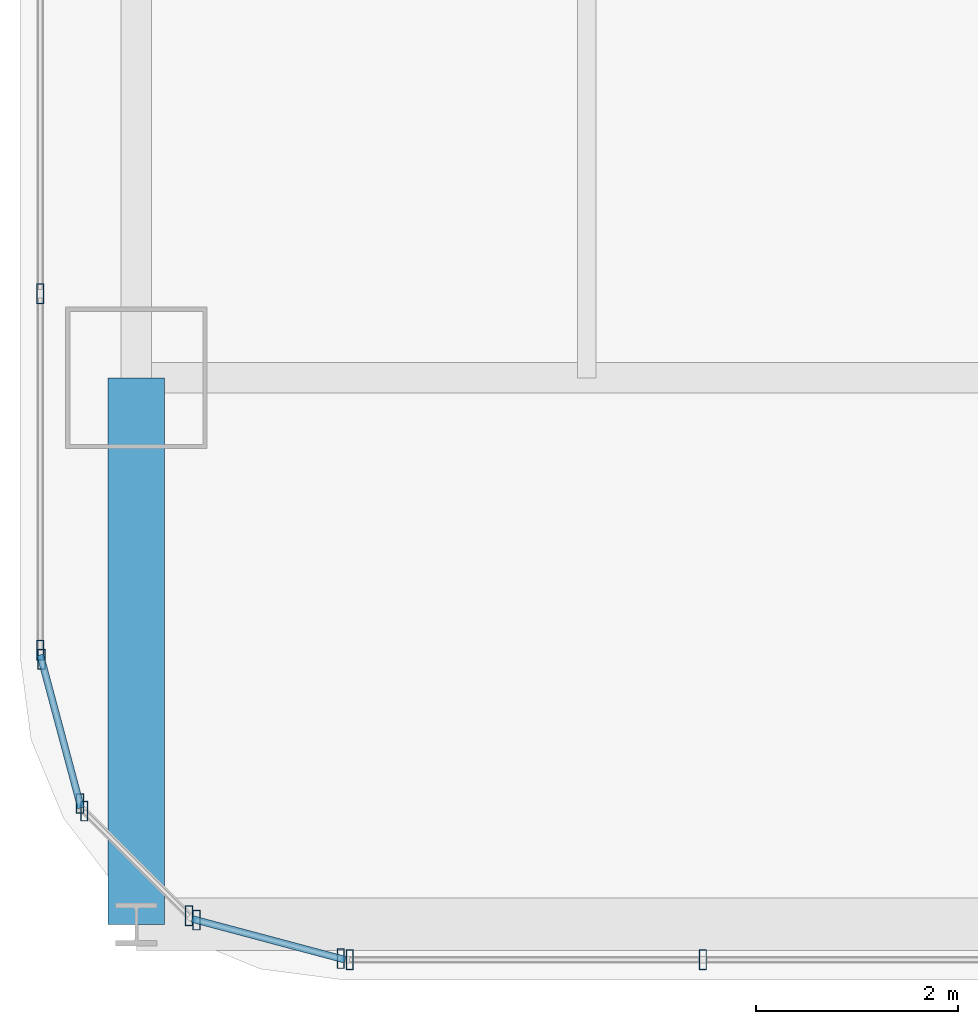
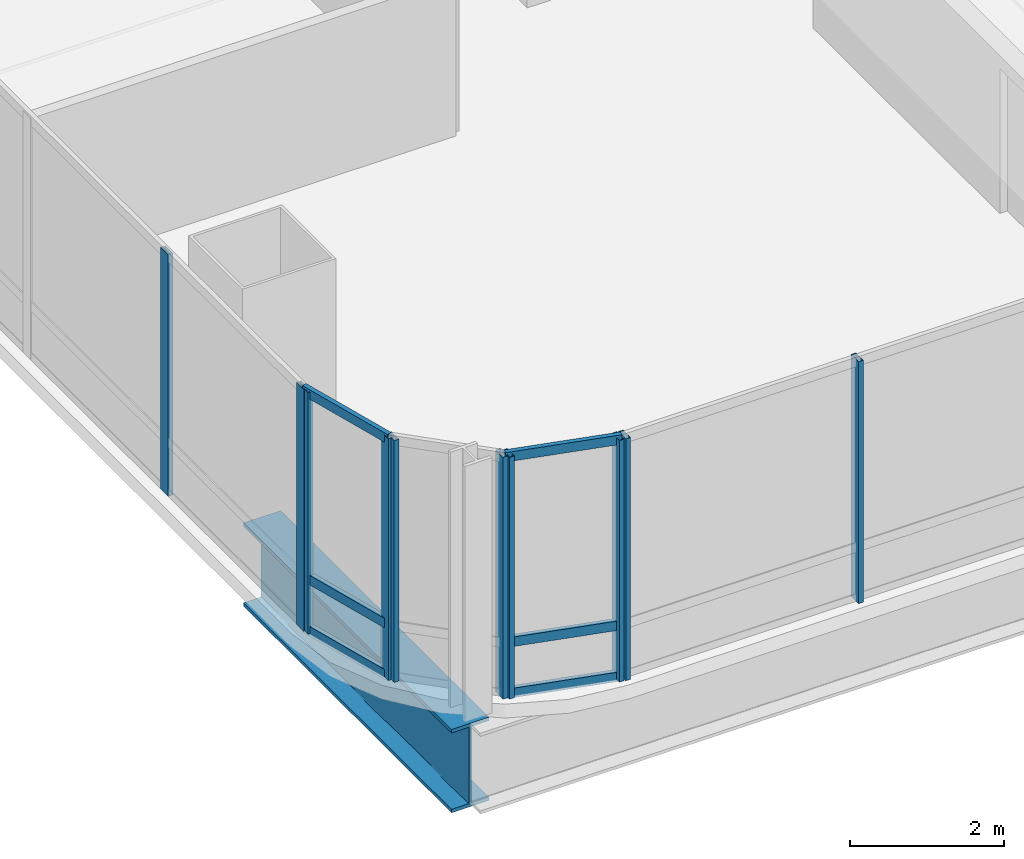
# One storey, part 2 of 35: 16 members, 1 beam, 5 elements without a shape of their own.
"""IFC4 building model written with IfcOpenShell, lengths in metres."""

from ifc_helpers import new_model, si_unit, direction, frame, origin, origin_2d, place, context, subcontext, project, spatial, hollow_rectangle, i_section, extrude, material, material_profile, profile_set, type_object, element, aggregate, save


model = new_model("IFC4")

# Units and contexts
model_context = context("Model", 3, precision=1e-05, world=origin(), true_north=direction((0.0, 1.0)))
body_context = subcontext(model_context, "Body", "Model", "MODEL_VIEW")
ifc_project = project(units=[si_unit("LENGTHUNIT", "METRE"), si_unit("AREAUNIT", "SQUARE_METRE"), si_unit("VOLUMEUNIT", "CUBIC_METRE"), si_unit("PLANEANGLEUNIT", "RADIAN"), si_unit("MASSUNIT", "GRAM", prefix="KILO")], contexts=[model_context])

# Site, building, storey
site_placement = place(None, origin())
site = spatial("IfcSite", under=ifc_project, at=site_placement, CompositionType="ELEMENT")
building_placement = place(site_placement, origin())
building = spatial("IfcBuilding", under=site, at=building_placement, Name="Punatoya Terracotta Tower", CompositionType="ELEMENT")
storey_placement = place(building_placement, frame((0.0, 0.0, 216.75)))
storey = spatial("IfcBuildingStorey", under=building, at=storey_placement, Name="L51", CompositionType="ELEMENT", Elevation=216.75)

# Beam
ifc_material_1 = material(Name="Steel S460", Category="steel")
ifc_material_profile_1 = material_profile(ifc_material_1, i_section(OverallWidth=0.56005859375, OverallDepth=1.320068359375, WebThickness=0.035888671875, FlangeThickness=0.054931640625, FilletRadius=0.01806640625, at=origin_2d()))
ifc_profile_set_1 = profile_set([ifc_material_profile_1], Name="Steel S460")
beam_type = type_object("IfcBeamType", Name="BM-TG-BLK", PredefinedType="BEAM", material=ifc_profile_set_1)
beam_placement = place(storey_placement, frame((-19.10009765625, -22.89990234375, -0.8798828125), z_axis=(0.0, 1.0, 0.0), x_axis=(-1.0, 0.0, 0.0)))
element("IfcBeam", 1, at=beam_placement, inside=storey, type_object=beam_type, Name="BM-L51-CANT-S1", PredefinedType="BEAM", context=body_context, shape_type="SweptSolid", body=[
    extrude(i_section(OverallWidth=0.56005859375, OverallDepth=1.320068359375, WebThickness=0.035888671875, FlangeThickness=0.054931640625, FilletRadius=0.01806640625, at=origin_2d()), origin(), (0.0, 0.0, 1.0), 5.39990234375),
])

# Curtain wall, members
ifc_material_2 = material(Name="Aluminium 6063-T6 + Double Low-E Glass", Category="aluminium")
curtain_wall_type = type_object("IfcCurtainWallType", Name="CW-M2", PredefinedType="NOTDEFINED", material=ifc_material_2)
curtain_wall_1_placement = place(storey_placement, origin())
curtain_wall_1 = element("IfcCurtainWall", 2, at=curtain_wall_1_placement, inside=storey, type_object=curtain_wall_type, Name="L51 Curtain Wall CW-L51-S01-1", PredefinedType="NOTDEFINED")
ifc_material_3 = material(Name="Aluminium 6063-T6", Category="aluminium")
ifc_material_profile_2 = material_profile(ifc_material_3, hollow_rectangle(XDim=0.072021484375, YDim=0.195068359375, WallThickness=0.00439453125, at=origin_2d()))
ifc_profile_set_2 = profile_set([ifc_material_profile_2], Name="Aluminium 6063-T6")
member_type_1 = type_object("IfcMemberType", Name="CW-MUL-M2", PredefinedType="MULLION", material=ifc_profile_set_2)
member_1_placement = place(storey_placement, frame((-16.991943359375, -23.25, 0.0), z_axis=(0.0, 0.0, 1.0), x_axis=(1.0, 0.0, 0.0)))
member_1 = element("IfcMember", 3, at=member_1_placement, type_object=member_type_1, Name="CW-L51-S01-1 Mullion 00", PredefinedType="MULLION", context=body_context, shape_type="SweptSolid", body=[
    extrude(hollow_rectangle(XDim=0.072021484375, YDim=0.195068359375, WallThickness=0.00439453125, at=origin_2d()), origin(), (0.0, 0.0, 1.0), 3.830078125),
])
member_2_placement = place(storey_placement, frame((-13.5029296875, -23.25, 0.0), z_axis=(0.0, 0.0, 1.0), x_axis=(1.0, 0.0, 0.0)))
member_2 = element("IfcMember", 4, at=member_2_placement, type_object=member_type_1, Name="CW-L51-S01-1 Mullion 01", PredefinedType="MULLION", context=body_context, shape_type="SweptSolid", body=[
    extrude(hollow_rectangle(XDim=0.072021484375, YDim=0.195068359375, WallThickness=0.00439453125, at=origin_2d()), origin(), (0.0, 0.0, 1.0), 3.830078125),
])
aggregate(curtain_wall_1, [member_1, member_2])

curtain_wall_2_placement = place(storey_placement, origin())
curtain_wall_2 = element("IfcCurtainWall", 5, at=curtain_wall_2_placement, inside=storey, type_object=curtain_wall_type, Name="L51 Curtain Wall CW-L51-W13-1", PredefinedType="NOTDEFINED")
member_3_placement = place(storey_placement, frame((-20.050048828125, -16.66943359375, 0.0), z_axis=(0.0, 0.0, 1.0), x_axis=(1.0, 0.0, 0.0)))
member_3 = element("IfcMember", 6, at=member_3_placement, type_object=member_type_1, Name="CW-L51-W13-1 Mullion 09", PredefinedType="MULLION", context=body_context, shape_type="SweptSolid", body=[
    extrude(hollow_rectangle(XDim=0.072021484375, YDim=0.195068359375, WallThickness=0.00439453125, at=origin_2d()), origin(), (0.0, 0.0, 1.0), 3.830078125),
])
member_4_placement = place(storey_placement, frame((-20.050048828125, -20.19189453125, 0.0), z_axis=(0.0, 0.0, 1.0), x_axis=(1.0, 0.0, 0.0)))
member_4 = element("IfcMember", 7, at=member_4_placement, type_object=member_type_1, Name="CW-L51-W13-1 Mullion 10", PredefinedType="MULLION", context=body_context, shape_type="SweptSolid", body=[
    extrude(hollow_rectangle(XDim=0.072021484375, YDim=0.195068359375, WallThickness=0.00439453125, at=origin_2d()), origin(), (0.0, 0.0, 1.0), 3.830078125),
])
aggregate(curtain_wall_2, [member_3, member_4])

curtain_wall_3_placement = place(storey_placement, origin())
curtain_wall_3 = element("IfcCurtainWall", 8, at=curtain_wall_3_placement, inside=storey, type_object=curtain_wall_type, Name="L51 Curtain Wall CW-L51-CRN14", PredefinedType="NOTDEFINED")
member_5_placement = place(storey_placement, frame((-20.038330078125, -20.280517578125, 0.0), z_axis=(0.0, 0.0, 1.0), x_axis=(1.0, 0.0, 0.0)))
member_5 = element("IfcMember", 9, at=member_5_placement, type_object=member_type_1, Name="CW-L51-CRN14 Mullion 00", PredefinedType="MULLION", context=body_context, shape_type="SweptSolid", body=[
    extrude(hollow_rectangle(XDim=0.072021484375, YDim=0.195068359375, WallThickness=0.00439453125, at=origin_2d()), origin(), (0.0, 0.0, 1.0), 3.830078125),
])
member_6_placement = place(storey_placement, frame((-19.658203125, -21.70556640625, 0.0), z_axis=(0.0, 0.0, 1.0), x_axis=(1.0, 0.0, 0.0)))
member_6 = element("IfcMember", 10, at=member_6_placement, type_object=member_type_1, Name="CW-L51-CRN14 Mullion 01", PredefinedType="MULLION", context=body_context, shape_type="SweptSolid", body=[
    extrude(hollow_rectangle(XDim=0.072021484375, YDim=0.195068359375, WallThickness=0.00439453125, at=origin_2d()), origin(), (0.0, 0.0, 1.0), 3.830078125),
])

curtain_wall_4_placement = place(storey_placement, origin())
curtain_wall_4 = element("IfcCurtainWall", 11, at=curtain_wall_4_placement, inside=storey, type_object=curtain_wall_type, Name="L51 Curtain Wall CW-L51-CRN15", PredefinedType="NOTDEFINED")
member_7_placement = place(storey_placement, frame((-19.61474609375, -21.781005859375, 0.0), z_axis=(0.0, 0.0, 1.0), x_axis=(1.0, 0.0, 0.0)))
member_7 = element("IfcMember", 12, at=member_7_placement, type_object=member_type_1, Name="CW-L51-CRN15 Mullion 00", PredefinedType="MULLION", context=body_context, shape_type="SweptSolid", body=[
    extrude(hollow_rectangle(XDim=0.072021484375, YDim=0.195068359375, WallThickness=0.00439453125, at=origin_2d()), origin(), (0.0, 0.0, 1.0), 3.830078125),
])
member_8_placement = place(storey_placement, frame((-18.580810546875, -22.814697265625, 0.0), z_axis=(0.0, 0.0, 1.0), x_axis=(1.0, 0.0, 0.0)))
member_8 = element("IfcMember", 13, at=member_8_placement, type_object=member_type_1, Name="CW-L51-CRN15 Mullion 01", PredefinedType="MULLION", context=body_context, shape_type="SweptSolid", body=[
    extrude(hollow_rectangle(XDim=0.072021484375, YDim=0.195068359375, WallThickness=0.00439453125, at=origin_2d()), origin(), (0.0, 0.0, 1.0), 3.830078125),
])
aggregate(curtain_wall_4, [member_7, member_8])

curtain_wall_5_placement = place(storey_placement, origin())
curtain_wall_5 = element("IfcCurtainWall", 14, at=curtain_wall_5_placement, inside=storey, type_object=curtain_wall_type, Name="L51 Curtain Wall CW-L51-CRN16", PredefinedType="NOTDEFINED")
member_9_placement = place(storey_placement, frame((-18.505615234375, -22.858154296875, 0.0), z_axis=(0.0, 0.0, 1.0), x_axis=(1.0, 0.0, 0.0)))
member_9 = element("IfcMember", 15, at=member_9_placement, type_object=member_type_1, Name="CW-L51-CRN16 Mullion 00", PredefinedType="MULLION", context=body_context, shape_type="SweptSolid", body=[
    extrude(hollow_rectangle(XDim=0.072021484375, YDim=0.195068359375, WallThickness=0.00439453125, at=origin_2d()), origin(), (0.0, 0.0, 1.0), 3.830078125),
])
member_10_placement = place(storey_placement, frame((-17.080322265625, -23.23828125, 0.0), z_axis=(0.0, 0.0, 1.0), x_axis=(1.0, 0.0, 0.0)))
member_10 = element("IfcMember", 16, at=member_10_placement, type_object=member_type_1, Name="CW-L51-CRN16 Mullion 01", PredefinedType="MULLION", context=body_context, shape_type="SweptSolid", body=[
    extrude(hollow_rectangle(XDim=0.072021484375, YDim=0.195068359375, WallThickness=0.00439453125, at=origin_2d()), origin(), (0.0, 0.0, 1.0), 3.830078125),
])

# Member
ifc_material_profile_3 = material_profile(ifc_material_3, hollow_rectangle(XDim=0.068115234375, YDim=0.14990234375, WallThickness=0.00390625, at=origin_2d()))
ifc_profile_set_3 = profile_set([ifc_material_profile_3], Name="Aluminium 6063-T6")
member_type_2 = type_object("IfcMemberType", Name="CW-TRN-TYP", PredefinedType="USERDEFINED", material=ifc_profile_set_3)
member_11_placement = place(storey_placement, frame((-20.050048828125, -20.23681640625, 0.0400390625), z_axis=(0.257847112249, -0.966185730957, 0.0), x_axis=(0.966185730957, 0.257847112249, 0.0)))
member_11 = element("IfcMember", 17, at=member_11_placement, type_object=member_type_2, Name="CW-L51-CRN14 Transom 1", ObjectType="TRANSOM", PredefinedType="USERDEFINED", context=body_context, shape_type="SweptSolid", body=[
    extrude(hollow_rectangle(XDim=0.068115234375, YDim=0.14990234375, WallThickness=0.00390625, at=origin_2d()), origin(), (0.0, 0.0, 1.0), 1.565185546875),
])

member_12_placement = place(storey_placement, frame((-20.050048828125, -20.23681640625, 0.85009765625), z_axis=(0.257847112249, -0.966185730957, 0.0), x_axis=(0.966185730957, 0.257847112249, 0.0)))
member_12 = element("IfcMember", 18, at=member_12_placement, type_object=member_type_2, Name="CW-L51-CRN14 Transom 2", ObjectType="TRANSOM", PredefinedType="USERDEFINED", context=body_context, shape_type="SweptSolid", body=[
    extrude(hollow_rectangle(XDim=0.068115234375, YDim=0.14990234375, WallThickness=0.00390625, at=origin_2d()), origin(), (0.0, 0.0, 1.0), 1.565185546875),
])

member_13_placement = place(storey_placement, frame((-20.050048828125, -20.23681640625, 3.7900390625), z_axis=(0.257847112249, -0.966185730957, 0.0), x_axis=(0.966185730957, 0.257847112249, 0.0)))
member_13 = element("IfcMember", 19, at=member_13_placement, type_object=member_type_2, Name="CW-L51-CRN14 Transom 3", ObjectType="TRANSOM", PredefinedType="USERDEFINED", context=body_context, shape_type="SweptSolid", body=[
    extrude(hollow_rectangle(XDim=0.068115234375, YDim=0.14990234375, WallThickness=0.00390625, at=origin_2d()), origin(), (0.0, 0.0, 1.0), 1.565185546875),
])

aggregate(curtain_wall_3, [member_5, member_6, member_11, member_12, member_13])

member_14_placement = place(storey_placement, frame((-18.549072265625, -22.8466796875, 0.0400390625), z_axis=(0.966224582397, -0.257701486942, 0.0), x_axis=(0.257701486942, 0.966224582397, 0.0)))
member_14 = element("IfcMember", 20, at=member_14_placement, type_object=member_type_2, Name="CW-L51-CRN16 Transom 1", ObjectType="TRANSOM", PredefinedType="USERDEFINED", context=body_context, shape_type="SweptSolid", body=[
    extrude(hollow_rectangle(XDim=0.068115234375, YDim=0.14990234375, WallThickness=0.00390625, at=origin_2d()), origin(), (0.0, 0.0, 1.0), 1.565185546875),
])

member_15_placement = place(storey_placement, frame((-18.549072265625, -22.8466796875, 0.85009765625), z_axis=(0.966224582397, -0.257701486942, 0.0), x_axis=(0.257701486942, 0.966224582397, 0.0)))
member_15 = element("IfcMember", 21, at=member_15_placement, type_object=member_type_2, Name="CW-L51-CRN16 Transom 2", ObjectType="TRANSOM", PredefinedType="USERDEFINED", context=body_context, shape_type="SweptSolid", body=[
    extrude(hollow_rectangle(XDim=0.068115234375, YDim=0.14990234375, WallThickness=0.00390625, at=origin_2d()), origin(), (0.0, 0.0, 1.0), 1.565185546875),
])

member_16_placement = place(storey_placement, frame((-18.549072265625, -22.8466796875, 3.7900390625), z_axis=(0.966224582397, -0.257701486942, 0.0), x_axis=(0.257701486942, 0.966224582397, 0.0)))
member_16 = element("IfcMember", 22, at=member_16_placement, type_object=member_type_2, Name="CW-L51-CRN16 Transom 3", ObjectType="TRANSOM", PredefinedType="USERDEFINED", context=body_context, shape_type="SweptSolid", body=[
    extrude(hollow_rectangle(XDim=0.068115234375, YDim=0.14990234375, WallThickness=0.00390625, at=origin_2d()), origin(), (0.0, 0.0, 1.0), 1.565185546875),
])

aggregate(curtain_wall_5, [member_9, member_10, member_14, member_15, member_16])

save(model, "model.ifc")
